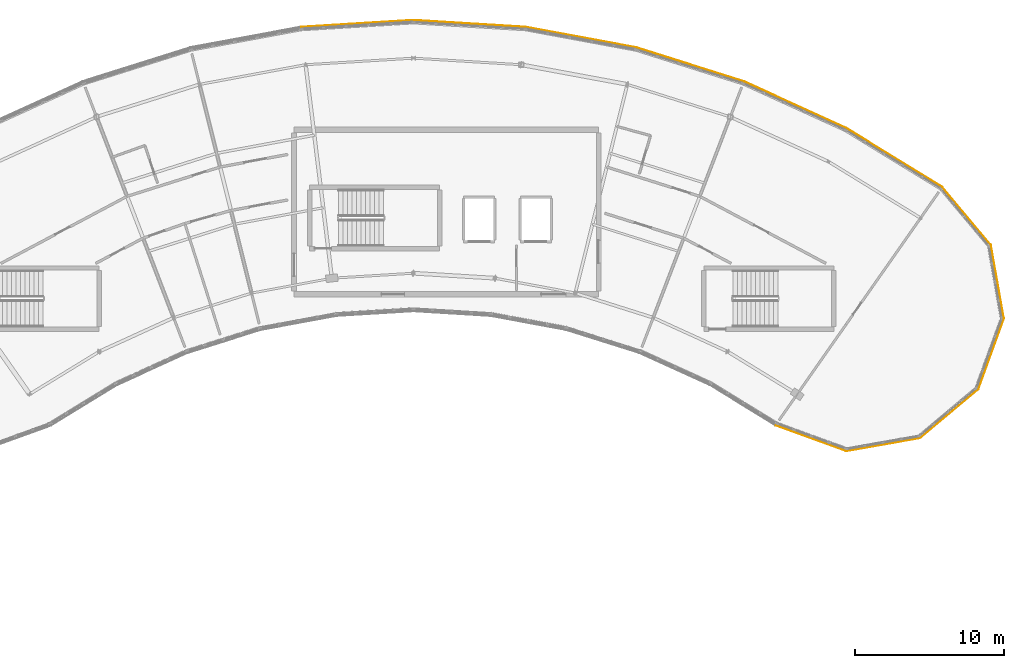
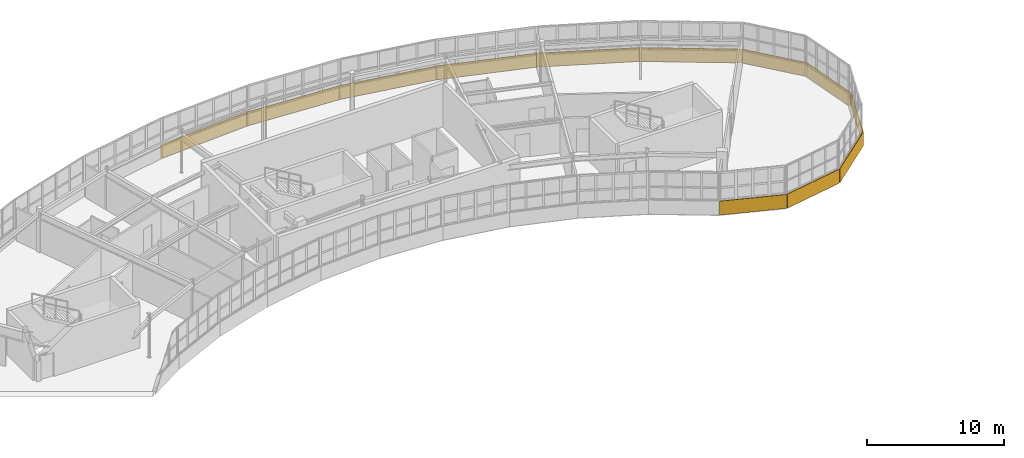
# One storey, part 65 of 65: 12 coverings.
"""IFC4 building model written with IfcOpenShell, lengths in metres."""

from ifc_helpers import new_model, si_unit, direction, frame, origin, origin_2d, place, context, subcontext, project, spatial, rectangle, extrude, material, layer, layer_set, type_object, element, save


model = new_model("IFC4")

# Units and contexts
model_context = context("Model", 3, precision=1e-05, world=origin(), true_north=direction((0.0, 1.0)))
body_context = subcontext(model_context, "Body", "Model", "MODEL_VIEW")
ifc_project = project(units=[si_unit("LENGTHUNIT", "METRE"), si_unit("AREAUNIT", "SQUARE_METRE"), si_unit("VOLUMEUNIT", "CUBIC_METRE"), si_unit("PLANEANGLEUNIT", "RADIAN"), si_unit("MASSUNIT", "GRAM", prefix="KILO")], contexts=[model_context])

# Site, building, storey
site_placement = place(None, origin())
site = spatial("IfcSite", under=ifc_project, at=site_placement, CompositionType="ELEMENT")
building_placement = place(site_placement, origin())
building = spatial("IfcBuilding", under=site, at=building_placement, Name="Tarnwether General Hospital", CompositionType="ELEMENT")
storey_placement = place(building_placement, frame((0.0, 0.0, 22.199951171875)))
storey = spatial("IfcBuildingStorey", under=building, at=storey_placement, Name="L05", CompositionType="ELEMENT", Elevation=22.199951171875)

# Coverings
ifc_material = material(Name="Streamlined white enamelled aluminium", Category="aluminium")
ifc_layer = layer(ifc_material, 0.044921875)
ifc_layer_set = layer_set([ifc_layer], Name="Streamlined white enamelled aluminium")
covering_type = type_object("IfcCoveringType", Name="CV-CLD-WHT", PredefinedType="CLADDING", material=ifc_layer_set)
covering_1_placement = place(storey_placement, frame((118.60888671875, 96.758056640625, -0.175048828125), z_axis=(0.0, 0.0, 1.0), x_axis=(-0.93965082813, 0.342134945884, 0.0)))
element("IfcCovering", 1, at=covering_1_placement, inside=storey, type_object=covering_type, Name="Streamlined White Horizontal Band NW L05 16", PredefinedType="CLADDING", context=body_context, shape_type="SweptSolid", body=[
    extrude(rectangle(XDim=4.968994140625, YDim=0.044921875, at=origin_2d()), origin(), (0.0, 0.0, 1.0), 1.25),
])
for number, where, z_axis, x_axis, name in (
    (2, (123.458984375, 96.333984375, -0.175048828125), (0.0, 0.0, 1.0), (-0.98480472213, -0.173665365778, 0.0), "Streamlined White Horizontal Band NW L05 17"),
    (3, (127.87109375, 98.39111328125, -0.175048828125), (0.0, 0.0, 1.0), (-0.765988346401, -0.642854457228, 0.0), "Streamlined White Horizontal Band NW L05 18"),
):
    element("IfcCovering", number, at=place(storey_placement, frame(where, z_axis=z_axis, x_axis=x_axis)), inside=storey, type_object=covering_type, Name=name, PredefinedType="CLADDING", context=body_context, shape_type="SweptSolid", body=[
        extrude(rectangle(XDim=4.969970703125, YDim=0.044921875, at=origin_2d()), origin(), (0.0, 0.0, 1.0), 1.25),
    ])
covering_2_placement = place(storey_placement, frame((130.6640625, 102.37890625, -0.175048828125), z_axis=(0.0, 0.0, 1.0), x_axis=(-0.341954539571, -0.939716496006, 0.0)))
element("IfcCovering", 4, at=covering_2_placement, inside=storey, type_object=covering_type, Name="Streamlined White Horizontal Band NW L05 19", PredefinedType="CLADDING", context=body_context, shape_type="SweptSolid", body=[
    extrude(rectangle(XDim=4.968017578125, YDim=0.044921875, at=origin_2d()), origin(), (0.0, 0.0, 1.0), 1.25),
])
covering_3_placement = place(storey_placement, frame((131.087890625, 107.22900390625, -0.175048828125), z_axis=(0.0, 0.0, 1.0), x_axis=(0.173459104952, -0.984841072919, 0.0)))
element("IfcCovering", 5, at=covering_3_placement, inside=storey, type_object=covering_type, Name="Streamlined White Horizontal Band NW L05 20", PredefinedType="CLADDING", context=body_context, shape_type="SweptSolid", body=[
    extrude(rectangle(XDim=4.968994140625, YDim=0.044921875, at=origin_2d()), origin(), (0.0, 0.0, 1.0), 1.25),
])
covering_4_placement = place(storey_placement, frame((129.031005859375, 111.64111328125, -0.175048828125), z_axis=(0.0, 0.0, 1.0), x_axis=(0.642854457228, -0.765988346401, 0.0)))
element("IfcCovering", 6, at=covering_4_placement, inside=storey, type_object=covering_type, Name="Streamlined White Horizontal Band NW L05 21", PredefinedType="CLADDING", context=body_context, shape_type="SweptSolid", body=[
    extrude(rectangle(XDim=4.969970703125, YDim=0.044921875, at=origin_2d()), origin(), (0.0, 0.0, 1.0), 1.25),
])
for number, where, z_axis, x_axis, name in (
    (7, (124.194091796875, 115.5380859375, -0.175048828125), (0.0, 0.0, 1.0), (0.852631044904, -0.522513446015, 0.0), "Streamlined White Horizontal Band NW L05 22"),
    (8, (117.552001953125, 119.070068359375, -0.175048828125), (0.0, 0.0, 1.0), (0.909961270877, -0.414693242656, 0.0), "Streamlined White Horizontal Band NW L05 23"),
    (9, (110.528076171875, 121.764892578125, -0.175048828125), (0.0, 0.0, 1.0), (0.953743188648, -0.300622570855, 0.0), "Streamlined White Horizontal Band NW L05 24"),
    (10, (103.22900390625, 123.5849609375, -0.175048828125), (0.0, 0.0, 1.0), (0.983245364386, -0.182287008349, 0.0), "Streamlined White Horizontal Band NW L05 25"),
    (11, (95.761962890625, 124.501953125, -0.175048828125), (0.0, 0.0, 1.0), (0.998135863768, -0.061031118787, 0.0), "Streamlined White Horizontal Band NW L05 26"),
    (12, (88.238037109375, 124.501953125, -0.175048828125), (0.0, 0.0, 1.0), (0.998135863768, 0.061031118787, 0.0), "Streamlined White Horizontal Band NW L05 27"),
):
    element("IfcCovering", number, at=place(storey_placement, frame(where, z_axis=z_axis, x_axis=x_axis)), inside=storey, type_object=covering_type, Name=name, PredefinedType="CLADDING", context=body_context, shape_type="SweptSolid", body=[
        extrude(rectangle(XDim=7.52099609375, YDim=0.044921875, at=origin_2d()), origin(), (0.0, 0.0, 1.0), 1.25),
    ])

save(model, "model.ifc")
